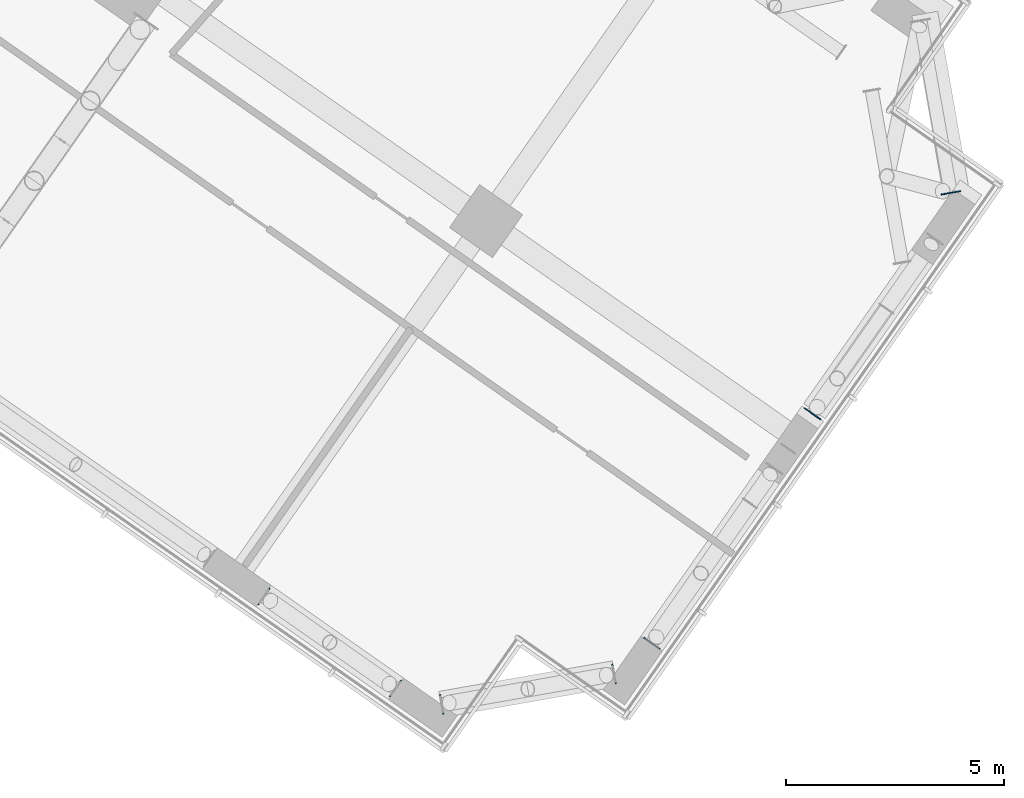
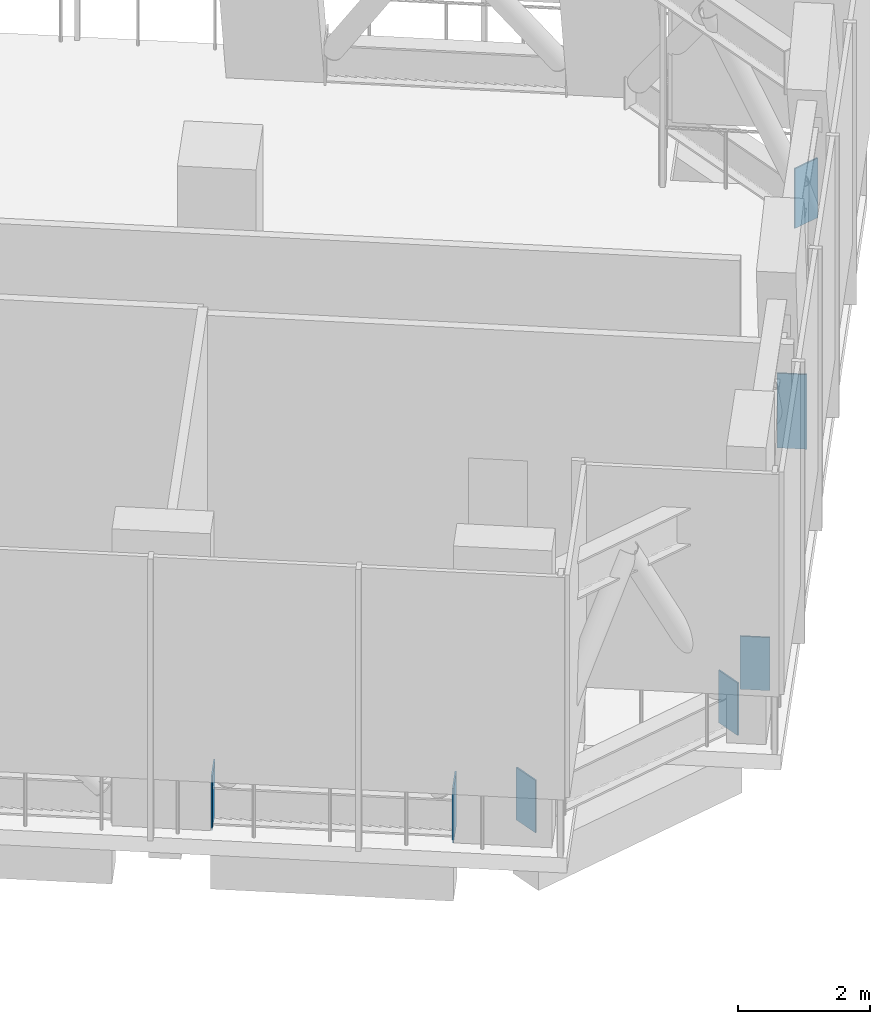
# One storey, part 11 of 24: 7 discrete accessories.
"""IFC4 building model written with IfcOpenShell, lengths in metres."""

from ifc_helpers import new_model, si_unit, direction, frame, origin, origin_2d, place, context, subcontext, project, spatial, rectangle, extrude, material, layer, layer_set, type_object, element, save


model = new_model("IFC4")

# Units and contexts
model_context = context("Model", 3, precision=1e-05, world=origin(), true_north=direction((0.0, 1.0)))
body_context = subcontext(model_context, "Body", "Model", "MODEL_VIEW")
ifc_project = project(units=[si_unit("LENGTHUNIT", "METRE"), si_unit("AREAUNIT", "SQUARE_METRE"), si_unit("VOLUMEUNIT", "CUBIC_METRE"), si_unit("PLANEANGLEUNIT", "RADIAN"), si_unit("MASSUNIT", "GRAM", prefix="KILO")], contexts=[model_context])

# Site, building, storey
site_placement = place(None, origin())
site = spatial("IfcSite", under=ifc_project, at=site_placement, CompositionType="ELEMENT")
building_placement = place(site_placement, origin())
building = spatial("IfcBuilding", under=site, at=building_placement, Name="Tel Ilan Convention Tower", CompositionType="ELEMENT")
storey_placement = place(building_placement, frame((0.0, 0.0, 126.5)))
storey = spatial("IfcBuildingStorey", under=building, at=storey_placement, Name="L28", CompositionType="ELEMENT", Elevation=126.5)

# Discrete accessories
ifc_material = material(Name="Steel S355", Category="steel")
ifc_layer = layer(ifc_material, 0.02490234375)
ifc_layer_set = layer_set([ifc_layer], Name="End Plate 25 mm Steel S355")
discrete_accessory_type = type_object("IfcDiscreteAccessoryType", Name="End Plate 25 mm Steel S355", PredefinedType="BRACKET", material=ifc_layer_set)
for number, where, z_axis, x_axis, name in (
    (1, (24.406982421875, -29.23681640625, -0.050048828125), (0.0, 0.0, 1.0), (-0.819152044289, 0.573576436351, 0.0), "L28 E-F4-E-FC belt end plate"),
    (2, (27.41748046875, -31.344482421875, -0.050048828125), (0.0, 0.0, 1.0), (0.819152044289, -0.573576436351, 0.0), "L28 E-F4-E-FC belt end plate"),
):
    element("IfcDiscreteAccessory", number, at=place(storey_placement, frame(where, z_axis=z_axis, x_axis=x_axis)), inside=storey, type_object=discrete_accessory_type, Name=name, PredefinedType="BRACKET", context=body_context, shape_type="SweptSolid", body=[
        extrude(rectangle(XDim=0.02490234375, YDim=0.45556640625, at=origin_2d()), origin(), (0.0, 0.0, 1.0), 1.009765625),
    ])
for number, where, z_axis, x_axis, name in (
    (3, (28.47216796875, -31.7060546875, -0.05029296875), (0.0, 0.0, 1.0), (-0.984807753012, -0.173648177667, 0.0), "L28 E-FC-E-E1 belt end plate"),
    (4, (32.416748046875, -31.010498046875, -0.05029296875), (0.0, 0.0, 1.0), (0.984807753012, 0.173648177667, 0.0), "L28 E-FC-E-E1 belt end plate"),
):
    element("IfcDiscreteAccessory", number, at=place(storey_placement, frame(where, z_axis=z_axis, x_axis=x_axis)), inside=storey, type_object=discrete_accessory_type, Name=name, PredefinedType="BRACKET", context=body_context, shape_type="SweptSolid", body=[
        extrude(rectangle(XDim=0.02490234375, YDim=0.45556640625, at=origin_2d()), origin(), (0.0, 0.0, 1.0), 0.973388671875),
    ])
discrete_accessory_1_placement = place(storey_placement, frame((33.2841796875, -30.31005859375, -0.050048828125), z_axis=(0.0, 0.0, 1.0), x_axis=(-0.573576436351, -0.819152044289, 0.0)))
element("IfcDiscreteAccessory", 5, at=discrete_accessory_1_placement, inside=storey, type_object=discrete_accessory_type, Name="L28 E-E1-E-E2 belt end plate", PredefinedType="BRACKET", context=body_context, shape_type="SweptSolid", body=[
    extrude(rectangle(XDim=0.02490234375, YDim=0.45556640625, at=origin_2d()), origin(), (0.0, 0.0, 1.0), 0.98291015625),
])
discrete_accessory_2_placement = place(storey_placement, frame((36.96142578125, -25.05859375, -0.050048828125), z_axis=(0.0, 0.0, 1.0), x_axis=(-0.573576436351, -0.819152044289, 0.0)))
element("IfcDiscreteAccessory", 6, at=discrete_accessory_2_placement, inside=storey, type_object=discrete_accessory_type, Name="L28 E-E2-E-E3 belt end plate", PredefinedType="BRACKET", context=body_context, shape_type="SweptSolid", body=[
    extrude(rectangle(XDim=0.02490234375, YDim=0.45556640625, at=origin_2d()), origin(), (0.0, 0.0, 1.0), 1.3828125),
])
discrete_accessory_3_placement = place(storey_placement, frame((40.125244140625, -20.00146484375, -0.050048828125), z_axis=(0.0, 0.0, 1.0), x_axis=(0.173648177667, -0.984807753012, 0.0)))
element("IfcDiscreteAccessory", 7, at=discrete_accessory_3_placement, inside=storey, type_object=discrete_accessory_type, Name="L28 E-E3-E-BC belt end plate", PredefinedType="BRACKET", context=body_context, shape_type="SweptSolid", body=[
    extrude(rectangle(XDim=0.02490234375, YDim=0.45556640625, at=origin_2d()), origin(), (0.0, 0.0, 1.0), 1.10693359375),
])

save(model, "model.ifc")
